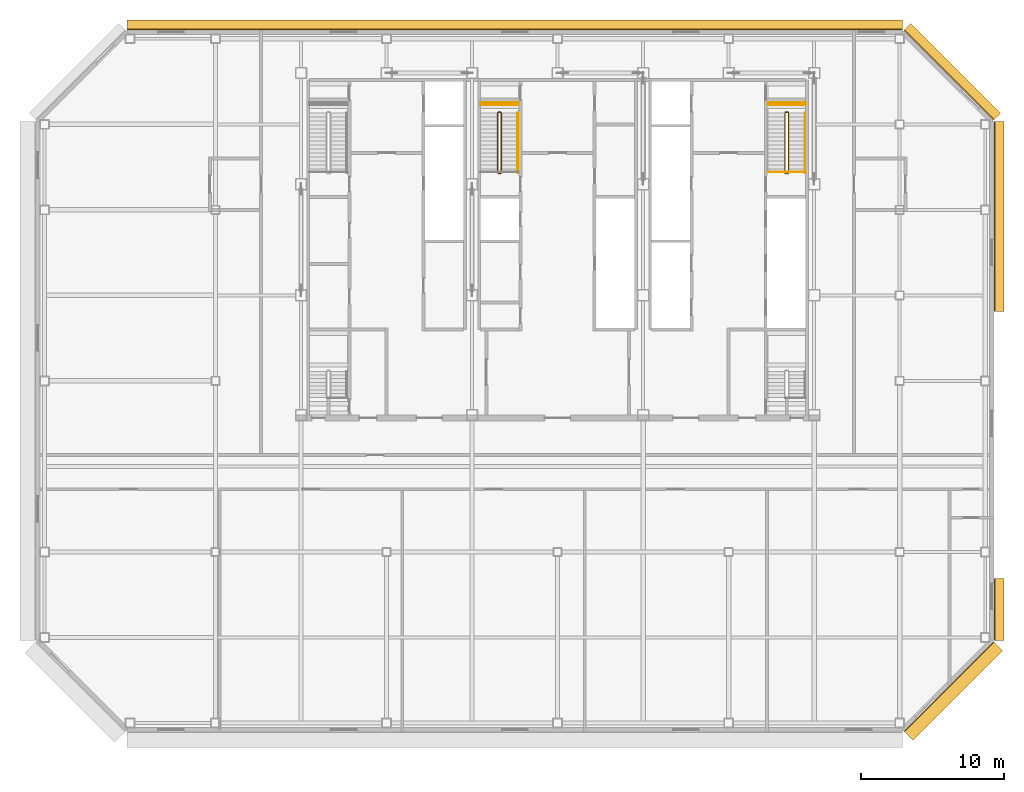
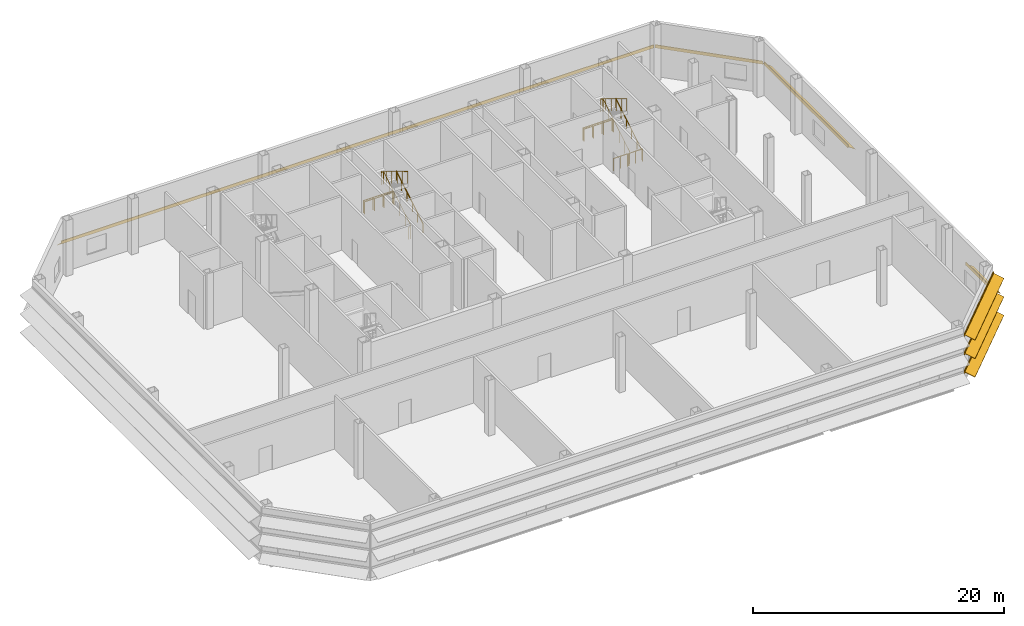
# One storey, part 11 of 11: 10 railings, 5 shading devices.
"""IFC4 building model written with IfcOpenShell, lengths in metres."""

import ifcopenshell
import ifcopenshell.guid

model = None  # the IFC model being written
_history = None  # IfcOwnerHistory: only IFC2X3 demands one
_inside = {}  # id of a spatial element -> (the spatial element, [elements in it])
_under = {}  # id of a project, library or spatial element -> (it, [spatial elements below it])
_declared = {}  # id of a project -> (the project, [libraries it declares])
_typed = {}  # id of a type object -> (the type object, [elements of that type])
_made_of = {}  # id of a material, layer set ... -> (it, [elements and type objects made of it])


def new_model(schema):
    """Start an empty IFC model of exactly this schema.

    Asked for "IFC4X3", IfcOpenShell would pick the latest addendum, in which some entities
    have other attributes; the version numbers below select the first issue.
    IFC2X3 requires an IfcOwnerHistory on every rooted entity: one is made here for all.
    """
    global model, _history
    if schema == "IFC4X3":
        model = ifcopenshell.file(schema_version=(4, 3, 0, 0))
    else:
        model = ifcopenshell.file(schema=schema)
    _inside.clear()
    _under.clear()
    _declared.clear()
    _typed.clear()
    _made_of.clear()
    _history = None
    if model.schema == "IFC2X3":
        org = make("IfcOrganization", Name="unknown")
        user = make(
            "IfcPersonAndOrganization",
            ThePerson=make("IfcPerson", FamilyName="unknown"),
            TheOrganization=org,
        )
        app = make(
            "IfcApplication",
            ApplicationDeveloper=org,
            Version="unknown",
            ApplicationFullName="unknown",
            ApplicationIdentifier="unknown",
        )
        _history = make(
            "IfcOwnerHistory",
            OwningUser=user,
            OwningApplication=app,
            ChangeAction="ADDED",
            CreationDate=0,
        )
    return model


def make(cls, **values):
    """One entity of the class cls with the attributes given. An attribute that is None is left unset."""
    return model.create_entity(
        cls, **{name: value for name, value in values.items() if value is not None}
    )


def rooted(cls, **values):
    """An entity with a GlobalId (a new one), such as an element, a storey or a relation."""
    return make(cls, GlobalId=ifcopenshell.guid.new(), OwnerHistory=_history, **values)


def si_unit(unit_type, name, prefix=None):
    """IfcSIUnit, for example si_unit("LENGTHUNIT", "METRE", prefix="MILLI")."""
    return make("IfcSIUnit", UnitType=unit_type, Prefix=prefix, Name=name)


def assignment(units):
    """IfcUnitAssignment: the units of a project."""
    return None if units is None else make("IfcUnitAssignment", Units=units)


def point(xyz):
    """IfcCartesianPoint."""
    return None if xyz is None else make("IfcCartesianPoint", Coordinates=xyz)


def direction(xyz):
    """IfcDirection."""
    return None if xyz is None else make("IfcDirection", DirectionRatios=xyz)


def frame(location, z_axis=None, x_axis=None):
    """IfcAxis2Placement3D, a coordinate frame: its origin and axes. An axis left out is left unset."""
    return make(
        "IfcAxis2Placement3D",
        Location=point(location),
        Axis=direction(z_axis),
        RefDirection=direction(x_axis),
    )


def frame_2d(location, x_axis=None):
    """IfcAxis2Placement2D, a coordinate frame in the plane: its origin and x axis."""
    return make(
        "IfcAxis2Placement2D", Location=point(location), RefDirection=direction(x_axis)
    )


def origin():
    """The frame at (0, 0, 0) with its axes left unset."""
    return frame((0.0, 0.0, 0.0))


def origin_2d():
    """The frame at (0, 0) in the plane with its x axis left unset."""
    return frame_2d((0.0, 0.0))


def place(relative_to, where):
    """IfcLocalPlacement: puts the frame where relative to a parent placement (None: the world)."""
    return make(
        "IfcLocalPlacement", PlacementRelTo=relative_to, RelativePlacement=where
    )


def context(
    kind, dimensions, precision=None, world=None, true_north=None, identifier=None
):
    """IfcGeometricRepresentationContext, for example the 3D "Model" context."""
    return make(
        "IfcGeometricRepresentationContext",
        ContextIdentifier=identifier,
        ContextType=kind,
        CoordinateSpaceDimension=dimensions,
        Precision=precision,
        WorldCoordinateSystem=world,
        TrueNorth=true_north,
    )


def subcontext(parent, identifier, kind, view, scale=None):
    """IfcGeometricRepresentationSubContext, for example "Body" below "Model"."""
    return make(
        "IfcGeometricRepresentationSubContext",
        ContextIdentifier=identifier,
        ContextType=kind,
        ParentContext=parent,
        TargetScale=scale,
        TargetView=view,
    )


def project(units=None, contexts=None):
    """IfcProject with its units and contexts."""
    return rooted(
        "IfcProject",
        Name="project",
        RepresentationContexts=contexts,
        UnitsInContext=assignment(units),
    )


def spatial(cls, under=None, at=None, **own):
    """A site, building, storey or space (cls), placed at a placement, below another one or the project."""
    s = rooted(cls, ObjectPlacement=at, **own)
    if under is not None:
        _under.setdefault(under.id(), (under, []))[1].append(s)
    return s


def polyline(points):
    """IfcPolyline through the points."""
    return make("IfcPolyline", Points=[point(p) for p in points])


def profile(cls, at=None, kind="AREA", **sizes):
    """A parametric profile (cls). Its sizes go by their IFC names, for example OverallWidth=200.0."""
    return make(cls, ProfileType=kind, Position=at, **sizes)


def circle(**sizes):
    """IfcCircleProfileDef."""
    return profile("IfcCircleProfileDef", **sizes)


def outline(outer, holes=None, kind="AREA"):
    """IfcArbitraryClosedProfileDef: a profile drawn as a closed curve; with holes, ...WithVoids."""
    if holes is None:
        return make("IfcArbitraryClosedProfileDef", ProfileType=kind, OuterCurve=outer)
    return make(
        "IfcArbitraryProfileDefWithVoids",
        ProfileType=kind,
        OuterCurve=outer,
        InnerCurves=holes,
    )


def composite_profile(profiles, kind="AREA"):
    """IfcCompositeProfileDef: several profiles as one."""
    return make("IfcCompositeProfileDef", ProfileType=kind, Profiles=profiles)


def extrude(swept, where, along, depth):
    """IfcExtrudedAreaSolid: the profile swept, set in the frame where, extruded along a direction by depth."""
    return make(
        "IfcExtrudedAreaSolid",
        SweptArea=swept,
        Position=where,
        ExtrudedDirection=direction(along),
        Depth=depth,
    )


def shape(context_of_items, identifier, shape_type, items):
    """IfcShapeRepresentation: the items that make up one representation, for example the "Body"."""
    return make(
        "IfcShapeRepresentation",
        ContextOfItems=context_of_items,
        RepresentationIdentifier=identifier,
        RepresentationType=shape_type,
        Items=items,
    )


def material(Name=None, Category=None):
    """IfcMaterial."""
    return make("IfcMaterial", Name=Name, Category=Category)


def made_of(thing, what):
    """Note that an element or type object is made of a material, layer set ...; save() writes the relation."""
    if what is not None:
        _made_of.setdefault(what.id(), (what, []))[1].append(thing)
    return thing


def type_object(cls, material=None, **own):
    """A type object (cls), such as IfcWallType, which elements share."""
    return made_of(rooted(cls, **own), material)


def element(
    cls,
    number,
    at=None,
    inside=None,
    cuts=None,
    type_object=None,
    material=None,
    context=None,
    identifier="Body",
    shape_type=None,
    held_by="IfcProductDefinitionShape",
    body=None,
    shapes=None,
    **own,
):
    """One element of the class cls, such as IfcWall. Its Tag is "e" and its number.

    at: its placement. inside: the storey or other place that contains it. cuts: it is an
    opening in that element (IfcRelVoidsElement). A single representation is given by context,
    identifier, shape_type and body (its items); several are given by shapes. held_by: the class
    of the entity that holds the representations. save() writes the other relations.
    """
    e = rooted(cls, Tag="e%d" % number, ObjectPlacement=at, **own)
    if body is not None:
        shapes = [shape(context, identifier, shape_type, body)]
    if shapes is not None:
        e.Representation = make(held_by, Representations=shapes)
    if inside is not None:
        _inside.setdefault(inside.id(), (inside, []))[1].append(e)
    if cuts is not None:
        rooted(
            "IfcRelVoidsElement", RelatingBuildingElement=cuts, RelatedOpeningElement=e
        )
    if type_object is not None:
        _typed.setdefault(type_object.id(), (type_object, []))[1].append(e)
    return made_of(e, material)


def aggregate(whole, parts):
    """IfcRelAggregates: a whole, such as a stair, and the parts it consists of."""
    return rooted("IfcRelAggregates", RelatingObject=whole, RelatedObjects=parts)


def save(model, path):
    """Write the relations noted so far, then the file.

    IfcRelAggregates (storeys below a building ...), IfcRelContainedInSpatialStructure (elements
    in a storey), IfcRelDefinesByType, IfcRelAssociatesMaterial and IfcRelDeclares: one each for
    every whole, place, type object, material and project.
    """
    for whole, parts in _under.values():
        aggregate(whole, parts)
    for where, things in _inside.values():
        rooted(
            "IfcRelContainedInSpatialStructure",
            RelatedElements=things,
            RelatingStructure=where,
        )
    for kind, things in _typed.values():
        rooted("IfcRelDefinesByType", RelatedObjects=things, RelatingType=kind)
    for what, things in _made_of.values():
        rooted("IfcRelAssociatesMaterial", RelatedObjects=things, RelatingMaterial=what)
    for by, libraries in _declared.values():
        rooted("IfcRelDeclares", RelatingContext=by, RelatedDefinitions=libraries)
    model.write(path)


model = new_model("IFC4")

# Units and contexts
model_context = context("Model", 3, precision=1e-05, world=origin(), true_north=direction((0.0, 1.0)))
body_context = subcontext(model_context, "Body", "Model", "MODEL_VIEW")
ifc_project = project(units=[si_unit("LENGTHUNIT", "METRE"), si_unit("AREAUNIT", "SQUARE_METRE"), si_unit("VOLUMEUNIT", "CUBIC_METRE"), si_unit("PLANEANGLEUNIT", "RADIAN"), si_unit("MASSUNIT", "GRAM", prefix="KILO")], contexts=[model_context])

# Site, building, storey
site_placement = place(None, origin())
site = spatial("IfcSite", under=ifc_project, at=site_placement, CompositionType="ELEMENT")
building_placement = place(site_placement, origin())
building = spatial("IfcBuilding", under=site, at=building_placement, Name="Sorahane Residences", CompositionType="ELEMENT")
storey_placement = place(building_placement, frame((0.0, 0.0, 234.199951171875)))
storey = spatial("IfcBuildingStorey", under=building, at=storey_placement, Name="L55", CompositionType="ELEMENT", Elevation=234.199951171875)

# Shading devices
ifc_material_1 = material(Name="Terracotta anodised aluminium", Category="masonry")
shading_device_type_1 = type_object("IfcShadingDeviceType", Name="Louvre sunshade blade E terracotta aluminium 700", PredefinedType="JALOUSIE", material=ifc_material_1)
shading_device_1_placement = place(storey_placement, frame((54.60009765625, 5.801513671875, 2.699951171875), z_axis=(0.0, 1.0, 0.0), x_axis=(-1.0, 0.0, 0.0)))
element("IfcShadingDevice", 1, at=shading_device_1_placement, inside=storey, type_object=shading_device_type_1, Name="Louvre sunshade blade bank E L55 E1", PredefinedType="JALOUSIE", context=body_context, shape_type="SweptSolid", body=[
    extrude(outline(polyline([(-0.719970703125, -0.49365234375), (-0.719970703125, -0.523681640625), (-0.080078125, -0.05859375), (-0.080078125, -0.14990234375), (-0.02001953125, -0.14990234375), (-0.02001953125, -0.014892578125), (-0.02001953125, 0.014892578125), (-0.02001953125, 0.14990234375), (-0.080078125, 0.14990234375), (-0.080078125, -0.028564453125), (-0.719970703125, -0.49365234375)])), origin(), (0.0, 0.0, 1.0), 4.3291015625),
])
shading_device_2_placement = place(storey_placement, frame((54.60009765625, 28.869384765625, 2.699951171875), z_axis=(0.0, 1.0, 0.0), x_axis=(-1.0, 0.0, 0.0)))
element("IfcShadingDevice", 2, at=shading_device_2_placement, inside=storey, type_object=shading_device_type_1, Name="Louvre sunshade blade bank E L55 E1 part 2", PredefinedType="JALOUSIE", context=body_context, shape_type="SweptSolid", body=[
    extrude(outline(polyline([(-0.719970703125, -0.49365234375), (-0.719970703125, -0.523681640625), (-0.080078125, -0.05859375), (-0.080078125, -0.14990234375), (-0.02001953125, -0.14990234375), (-0.02001953125, -0.014892578125), (-0.02001953125, 0.014892578125), (-0.02001953125, 0.14990234375), (-0.080078125, 0.14990234375), (-0.080078125, -0.028564453125), (-0.719970703125, -0.49365234375)])), origin(), (0.0, 0.0, 1.0), 13.3291015625),
])
ifc_material_2 = material(Name="Terracotta anodised aluminium", Category="masonry")
shading_device_type_2 = type_object("IfcShadingDeviceType", Name="Louvre sunshade blade N terracotta aluminium 700", PredefinedType="JALOUSIE", material=ifc_material_2)
shading_device_3_placement = place(storey_placement, frame((48.198486328125, 48.60009765625, 2.699951171875), z_axis=(-1.0, 0.0, 0.0), x_axis=(0.0, -1.0, 0.0)))
element("IfcShadingDevice", 3, at=shading_device_3_placement, inside=storey, type_object=shading_device_type_2, Name="Louvre sunshade blade bank N L55 N1", PredefinedType="JALOUSIE", context=body_context, shape_type="SweptSolid", body=[
    extrude(outline(polyline([(-0.719970703125, -0.660888671875), (-0.719970703125, -0.69091796875), (-0.080078125, -0.072998046875), (-0.080078125, -0.14990234375), (-0.02001953125, -0.14990234375), (-0.02001953125, -0.014892578125), (-0.02001953125, 0.014892578125), (-0.02001953125, 0.14990234375), (-0.080078125, 0.14990234375), (-0.080078125, -0.04296875), (-0.719970703125, -0.660888671875)])), origin(), (0.0, 0.0, 1.0), 54.39697265625),
])
ifc_material_3 = material(Name="Terracotta anodised aluminium", Category="masonry")
shading_device_type_3 = type_object("IfcShadingDeviceType", Name="Louvre sunshade blade NE terracotta aluminium 700", PredefinedType="JALOUSIE", material=ifc_material_3)
shading_device_4_placement = place(storey_placement, frame((54.564697265625, 42.283935546875, 2.699951171875), z_axis=(-0.707106781187, 0.707106781187, 0.0), x_axis=(-0.707106781187, -0.707106781187, 0.0)))
element("IfcShadingDevice", 4, at=shading_device_4_placement, inside=storey, type_object=shading_device_type_3, Name="Louvre sunshade blade bank NE L55 NE1", PredefinedType="JALOUSIE", context=body_context, shape_type="SweptSolid", body=[
    extrude(outline(polyline([(-0.719970703125, -0.572509765625), (-0.719970703125, -0.602294921875), (-0.080078125, -0.065185546875), (-0.080078125, -0.14990234375), (-0.02001953125, -0.14990234375), (-0.02001953125, -0.014892578125), (-0.02001953125, 0.014892578125), (-0.02001953125, 0.14990234375), (-0.080078125, 0.14990234375), (-0.080078125, -0.035400390625), (-0.719970703125, -0.572509765625)])), origin(), (0.0, 0.0, 1.0), 8.88232421875),
])
ifc_material_4 = material(Name="Terracotta anodised aluminium", Category="masonry")
shading_device_type_4 = type_object("IfcShadingDeviceType", Name="Louvre sunshade blade SE terracotta aluminium 900", PredefinedType="JALOUSIE", material=ifc_material_4)
shading_device_5_placement = place(storey_placement, frame((48.283935546875, -0.564697265625, 0.900146484375), z_axis=(0.707106781187, 0.707106781187, 0.0), x_axis=(-0.707106781187, 0.707106781187, 0.0)))
element("IfcShadingDevice", 5, at=shading_device_5_placement, inside=storey, type_object=shading_device_type_4, Name="Louvre sunshade blade bank SE L55 SE1", PredefinedType="JALOUSIE", context=body_context, shape_type="SweptSolid", body=[
    extrude(composite_profile([outline(polyline([(-0.919921875, -0.3486328125), (-0.919921875, -0.378662109375), (-0.080078125, -0.039306640625), (-0.080078125, -0.14990234375), (-0.02001953125, -0.14990234375), (-0.02001953125, -0.014892578125), (-0.02001953125, 0.014892578125), (-0.02001953125, 0.14990234375), (-0.080078125, 0.14990234375), (-0.080078125, -0.00927734375), (-0.919921875, -0.3486328125)])), outline(polyline([(-0.919921875, 1.451416015625), (-0.919921875, 1.42138671875), (-0.080078125, 1.7607421875), (-0.080078125, 1.64990234375), (-0.02001953125, 1.64990234375), (-0.02001953125, 1.784912109375), (-0.02001953125, 1.81494140625), (-0.02001953125, 1.949951171875), (-0.080078125, 1.949951171875), (-0.080078125, 1.790771484375), (-0.919921875, 1.451416015625)])), outline(polyline([(-0.919921875, 3.25146484375), (-0.919921875, 3.221435546875), (-0.080078125, 3.560791015625), (-0.080078125, 3.449951171875), (-0.02001953125, 3.449951171875), (-0.02001953125, 3.5849609375), (-0.02001953125, 3.614990234375), (-0.02001953125, 3.75), (-0.080078125, 3.75), (-0.080078125, 3.5908203125), (-0.919921875, 3.25146484375)]))]), origin(), (0.0, 0.0, 1.0), 8.88232421875),
])

# Railings
ifc_material_5 = material(Name="Steel Q355B", Category="steel")
railing_type_1 = type_object("IfcRailingType", Name="Stair guard 1200 Steel Q355B", PredefinedType="GUARDRAIL", material=ifc_material_5)
railing_1_placement = place(storey_placement, frame((38.75, 43.52490234375, 0.0)))
element("IfcRailing", 6, at=railing_1_placement, inside=storey, type_object=railing_type_1, Name="L55 S2 top well guard 1", PredefinedType="GUARDRAIL", context=body_context, shape_type="SweptSolid", body=[
    extrude(circle(Radius=0.02392578125, at=origin_2d()), frame((0.0, 0.0, 1.17578125), z_axis=(1.0, 0.0, 0.0), x_axis=(0.0, 1.0, 0.0)), (0.0, 0.0, 1.0), 2.64990234375),
    extrude(circle(Radius=0.02099609375, at=origin_2d()), origin(), (0.0, 0.0, 1.0), 1.15185546875),
    extrude(circle(Radius=0.02099609375, at=origin_2d()), frame((0.88330078125, 0.0, 0.0)), (0.0, 0.0, 1.0), 1.15185546875),
    extrude(circle(Radius=0.02099609375, at=origin_2d()), frame((1.7666015625, 0.0, 0.0)), (0.0, 0.0, 1.0), 1.15185546875),
    extrude(circle(Radius=0.02099609375, at=origin_2d()), frame((2.64990234375, 0.0, 0.0)), (0.0, 0.0, 1.0), 1.15185546875),
])
for number, where, name in (
    (7, (38.75, 38.64990234375, 0.0), "L55 Stair S2 edge guard"),
    (8, (40.133056640625, 38.64990234375, 0.0), "L55 Stair S2 edge guard"),
):
    element("IfcRailing", number, at=place(storey_placement, frame(where)), inside=storey, type_object=railing_type_1, Name=name, PredefinedType="GUARDRAIL", context=body_context, shape_type="SweptSolid", body=[
        extrude(circle(Radius=0.02392578125, at=origin_2d()), frame((0.0, 0.0, 1.17578125), z_axis=(1.0, 0.0, 0.0), x_axis=(0.0, 1.0, 0.0)), (0.0, 0.0, 1.0), 1.266845703125),
        extrude(circle(Radius=0.02099609375, at=origin_2d()), origin(), (0.0, 0.0, 1.0), 1.15185546875),
        extrude(circle(Radius=0.02099609375, at=origin_2d()), frame((0.63330078125, 0.0, 0.0)), (0.0, 0.0, 1.0), 1.15185546875),
        extrude(circle(Radius=0.02099609375, at=origin_2d()), frame((1.266845703125, 0.0, 0.0)), (0.0, 0.0, 1.0), 1.15185546875),
    ])
railing_2_placement = place(storey_placement, frame((38.75, 43.35009765625, 0.0)))
element("IfcRailing", 9, at=railing_2_placement, inside=storey, type_object=railing_type_1, Name="L55 Stair S2 edge guard", PredefinedType="GUARDRAIL", context=body_context, shape_type="SweptSolid", body=[
    extrude(circle(Radius=0.02392578125, at=origin_2d()), frame((0.0, 0.0, 1.17578125), z_axis=(1.0, 0.0, 0.0), x_axis=(0.0, 1.0, 0.0)), (0.0, 0.0, 1.0), 2.64990234375),
    extrude(circle(Radius=0.02099609375, at=origin_2d()), origin(), (0.0, 0.0, 1.0), 1.15185546875),
    extrude(circle(Radius=0.02099609375, at=origin_2d()), frame((0.88330078125, 0.0, 0.0)), (0.0, 0.0, 1.0), 1.15185546875),
    extrude(circle(Radius=0.02099609375, at=origin_2d()), frame((1.7666015625, 0.0, 0.0)), (0.0, 0.0, 1.0), 1.15185546875),
    extrude(circle(Radius=0.02099609375, at=origin_2d()), frame((2.64990234375, 0.0, 0.0)), (0.0, 0.0, 1.0), 1.15185546875),
])
railing_3_placement = place(storey_placement, frame((40.0, 38.550048828125, 0.0)))
element("IfcRailing", 10, at=railing_3_placement, inside=storey, type_object=railing_type_1, Name="L55 S2 stair guard 1", PredefinedType="GUARDRAIL", context=body_context, shape_type="SweptSolid", body=[
    extrude(circle(Radius=0.02392578125, at=origin_2d()), frame((0.0, 0.0, 1.17578125), z_axis=(1.0, 0.0, 0.0), x_axis=(0.0, 1.0, 0.0)), (0.0, 0.0, 1.0), 0.14990234375),
    extrude(circle(Radius=0.02392578125, at=origin_2d()), frame((0.14990234375, 0.0, 1.17578125), z_axis=(0.273569069059, 0.273569069059, 0.922127935218), x_axis=(-0.707106781187, 0.707106781187, 0.0)), (0.0, 0.0, 1.0), 0.182861328125),
    extrude(circle(Radius=0.02392578125, at=origin_2d()), frame((0.199951171875, 0.050048828125, 1.3447265625), z_axis=(0.0, 0.856476492594, 0.516186030065), x_axis=(-1.0, 0.0, 0.0)), (0.0, 0.0, 1.0), 4.90380859375),
    extrude(circle(Radius=0.02392578125, at=origin_2d()), frame((0.199951171875, 4.25, 3.8759765625), z_axis=(-0.707106781187, 0.707106781187, 0.0), x_axis=(-0.707106781187, -0.707106781187, 0.0)), (0.0, 0.0, 1.0), 0.07080078125),
    extrude(circle(Radius=0.02392578125, at=origin_2d()), frame((0.14990234375, 4.300048828125, 3.8759765625), z_axis=(-1.0, 0.0, 0.0), x_axis=(0.0, -1.0, 0.0)), (0.0, 0.0, 1.0), 0.14990234375),
    extrude(circle(Radius=0.02392578125, at=origin_2d()), frame((0.0, 4.300048828125, 3.8759765625), z_axis=(-0.273232802156, -0.273232802156, 0.922327312645), x_axis=(0.707106781187, -0.707106781187, 0.0)), (0.0, 0.0, 1.0), 0.18310546875),
    extrude(circle(Radius=0.02392578125, at=origin_2d()), frame((-0.050048828125, 4.25, 4.044921875), z_axis=(0.0, -0.856476492594, 0.516186030065), x_axis=(1.0, 0.0, 0.0)), (0.0, 0.0, 1.0), 4.90380859375),
    extrude(circle(Radius=0.02099609375, at=origin_2d()), origin(), (0.0, 0.0, 1.0), 1.15185546875),
    extrude(circle(Radius=0.02099609375, at=origin_2d()), frame((0.14990234375, 0.0, 0.0)), (0.0, 0.0, 1.0), 1.15185546875),
    extrude(circle(Radius=0.02099609375, at=origin_2d()), frame((0.199951171875, 0.050048828125, 0.168701171875)), (0.0, 0.0, 1.0), 1.15185546875),
    extrude(circle(Radius=0.02099609375, at=origin_2d()), frame((0.199951171875, 0.89013671875, 0.675048828125)), (0.0, 0.0, 1.0), 1.15185546875),
    extrude(circle(Radius=0.02099609375, at=origin_2d()), frame((0.199951171875, 1.72998046875, 1.18115234375)), (0.0, 0.0, 1.0), 1.15185546875),
    extrude(circle(Radius=0.02099609375, at=origin_2d()), frame((0.199951171875, 2.570068359375, 1.6875)), (0.0, 0.0, 1.0), 1.15185546875),
    extrude(circle(Radius=0.02099609375, at=origin_2d()), frame((0.199951171875, 3.409912109375, 2.193603515625)), (0.0, 0.0, 1.0), 1.15185546875),
    extrude(circle(Radius=0.02099609375, at=origin_2d()), frame((0.199951171875, 4.25, 2.699951171875)), (0.0, 0.0, 1.0), 1.15185546875),
    extrude(circle(Radius=0.02099609375, at=origin_2d()), frame((0.14990234375, 4.300048828125, 2.699951171875)), (0.0, 0.0, 1.0), 1.15185546875),
    extrude(circle(Radius=0.02099609375, at=origin_2d()), frame((0.0, 4.300048828125, 2.699951171875)), (0.0, 0.0, 1.0), 1.15185546875),
    extrude(circle(Radius=0.02099609375, at=origin_2d()), frame((-0.050048828125, 4.25, 2.868896484375)), (0.0, 0.0, 1.0), 1.15185546875),
    extrude(circle(Radius=0.02099609375, at=origin_2d()), frame((-0.050048828125, 3.409912109375, 3.375244140625)), (0.0, 0.0, 1.0), 1.15185546875),
    extrude(circle(Radius=0.02099609375, at=origin_2d()), frame((-0.050048828125, 2.570068359375, 3.88134765625)), (0.0, 0.0, 1.0), 1.15185546875),
    extrude(circle(Radius=0.02099609375, at=origin_2d()), frame((-0.050048828125, 1.72998046875, 4.3876953125)), (0.0, 0.0, 1.0), 1.15185546875),
    extrude(circle(Radius=0.02099609375, at=origin_2d()), frame((-0.050048828125, 0.89013671875, 4.893798828125)), (0.0, 0.0, 1.0), 1.15185546875),
    extrude(circle(Radius=0.02099609375, at=origin_2d()), frame((-0.050048828125, 0.050048828125, 5.400146484375)), (0.0, 0.0, 1.0), 1.15185546875),
])
for number, where, name in (
    (11, (18.60009765625, 43.52490234375, 0.0), "L55 S3 top well guard 1"),
    (12, (18.60009765625, 43.35009765625, 0.0), "L55 Stair S3 edge guard"),
):
    element("IfcRailing", number, at=place(storey_placement, frame(where)), inside=storey, type_object=railing_type_1, Name=name, PredefinedType="GUARDRAIL", context=body_context, shape_type="SweptSolid", body=[
        extrude(circle(Radius=0.02392578125, at=origin_2d()), frame((0.0, 0.0, 1.17578125), z_axis=(1.0, 0.0, 0.0), x_axis=(0.0, 1.0, 0.0)), (0.0, 0.0, 1.0), 2.64990234375),
        extrude(circle(Radius=0.02099609375, at=origin_2d()), origin(), (0.0, 0.0, 1.0), 1.15185546875),
        extrude(circle(Radius=0.02099609375, at=origin_2d()), frame((0.88330078125, 0.0, 0.0)), (0.0, 0.0, 1.0), 1.15185546875),
        extrude(circle(Radius=0.02099609375, at=origin_2d()), frame((1.7666015625, 0.0, 0.0)), (0.0, 0.0, 1.0), 1.15185546875),
        extrude(circle(Radius=0.02099609375, at=origin_2d()), frame((2.64990234375, 0.0, 0.0)), (0.0, 0.0, 1.0), 1.15185546875),
    ])
railing_4_placement = place(storey_placement, frame((19.85009765625, 38.550048828125, 0.0)))
element("IfcRailing", 13, at=railing_4_placement, inside=storey, type_object=railing_type_1, Name="L55 S3 stair guard 1", PredefinedType="GUARDRAIL", context=body_context, shape_type="SweptSolid", body=[
    extrude(circle(Radius=0.02392578125, at=origin_2d()), frame((0.0, 0.0, 1.17578125), z_axis=(1.0, 0.0, 0.0), x_axis=(0.0, 1.0, 0.0)), (0.0, 0.0, 1.0), 0.14990234375),
    extrude(circle(Radius=0.02392578125, at=origin_2d()), frame((0.14990234375, 0.0, 1.17578125), z_axis=(0.273569069059, 0.273569069059, 0.922127935218), x_axis=(-0.707106781187, 0.707106781187, 0.0)), (0.0, 0.0, 1.0), 0.182861328125),
    extrude(circle(Radius=0.02392578125, at=origin_2d()), frame((0.199951171875, 0.050048828125, 1.3447265625), z_axis=(0.0, 0.856476492594, 0.516186030065), x_axis=(-1.0, 0.0, 0.0)), (0.0, 0.0, 1.0), 4.90380859375),
    extrude(circle(Radius=0.02392578125, at=origin_2d()), frame((0.199951171875, 4.25, 3.8759765625), z_axis=(-0.707106781187, 0.707106781187, 0.0), x_axis=(-0.707106781187, -0.707106781187, 0.0)), (0.0, 0.0, 1.0), 0.07080078125),
    extrude(circle(Radius=0.02392578125, at=origin_2d()), frame((0.14990234375, 4.300048828125, 3.8759765625), z_axis=(-1.0, 0.0, 0.0), x_axis=(0.0, -1.0, 0.0)), (0.0, 0.0, 1.0), 0.14990234375),
    extrude(circle(Radius=0.02392578125, at=origin_2d()), frame((0.0, 4.300048828125, 3.8759765625), z_axis=(-0.273232802156, -0.273232802156, 0.922327312645), x_axis=(0.707106781187, -0.707106781187, 0.0)), (0.0, 0.0, 1.0), 0.18310546875),
    extrude(circle(Radius=0.02392578125, at=origin_2d()), frame((-0.050048828125, 4.25, 4.044921875), z_axis=(0.0, -0.856476492594, 0.516186030065), x_axis=(1.0, 0.0, 0.0)), (0.0, 0.0, 1.0), 4.90380859375),
    extrude(circle(Radius=0.02099609375, at=origin_2d()), origin(), (0.0, 0.0, 1.0), 1.15185546875),
    extrude(circle(Radius=0.02099609375, at=origin_2d()), frame((0.14990234375, 0.0, 0.0)), (0.0, 0.0, 1.0), 1.15185546875),
    extrude(circle(Radius=0.02099609375, at=origin_2d()), frame((0.199951171875, 0.050048828125, 0.168701171875)), (0.0, 0.0, 1.0), 1.15185546875),
    extrude(circle(Radius=0.02099609375, at=origin_2d()), frame((0.199951171875, 0.89013671875, 0.675048828125)), (0.0, 0.0, 1.0), 1.15185546875),
    extrude(circle(Radius=0.02099609375, at=origin_2d()), frame((0.199951171875, 1.72998046875, 1.18115234375)), (0.0, 0.0, 1.0), 1.15185546875),
    extrude(circle(Radius=0.02099609375, at=origin_2d()), frame((0.199951171875, 2.570068359375, 1.6875)), (0.0, 0.0, 1.0), 1.15185546875),
    extrude(circle(Radius=0.02099609375, at=origin_2d()), frame((0.199951171875, 3.409912109375, 2.193603515625)), (0.0, 0.0, 1.0), 1.15185546875),
    extrude(circle(Radius=0.02099609375, at=origin_2d()), frame((0.199951171875, 4.25, 2.699951171875)), (0.0, 0.0, 1.0), 1.15185546875),
    extrude(circle(Radius=0.02099609375, at=origin_2d()), frame((0.14990234375, 4.300048828125, 2.699951171875)), (0.0, 0.0, 1.0), 1.15185546875),
    extrude(circle(Radius=0.02099609375, at=origin_2d()), frame((0.0, 4.300048828125, 2.699951171875)), (0.0, 0.0, 1.0), 1.15185546875),
    extrude(circle(Radius=0.02099609375, at=origin_2d()), frame((-0.050048828125, 4.25, 2.868896484375)), (0.0, 0.0, 1.0), 1.15185546875),
    extrude(circle(Radius=0.02099609375, at=origin_2d()), frame((-0.050048828125, 3.409912109375, 3.375244140625)), (0.0, 0.0, 1.0), 1.15185546875),
    extrude(circle(Radius=0.02099609375, at=origin_2d()), frame((-0.050048828125, 2.570068359375, 3.88134765625)), (0.0, 0.0, 1.0), 1.15185546875),
    extrude(circle(Radius=0.02099609375, at=origin_2d()), frame((-0.050048828125, 1.72998046875, 4.3876953125)), (0.0, 0.0, 1.0), 1.15185546875),
    extrude(circle(Radius=0.02099609375, at=origin_2d()), frame((-0.050048828125, 0.89013671875, 4.893798828125)), (0.0, 0.0, 1.0), 1.15185546875),
    extrude(circle(Radius=0.02099609375, at=origin_2d()), frame((-0.050048828125, 0.050048828125, 5.400146484375)), (0.0, 0.0, 1.0), 1.15185546875),
])
ifc_material_6 = material(Name="Steel Q355B", Category="steel")
railing_type_2 = type_object("IfcRailingType", Name="Stair handrail 900 Steel Q355B", PredefinedType="HANDRAIL", material=ifc_material_6)
for number, where, name in (
    (14, (41.35009765625, 38.60009765625, 0.168701171875), "L55 S2 stair handrail 1"),
    (15, (21.199951171875, 38.60009765625, 0.168701171875), "L55 S3 stair handrail 1"),
):
    element("IfcRailing", number, at=place(storey_placement, frame(where)), inside=storey, type_object=railing_type_2, Name=name, PredefinedType="HANDRAIL", context=body_context, shape_type="SweptSolid", body=[
        extrude(circle(Radius=0.02392578125, at=origin_2d()), frame((0.0, 0.0, 0.8759765625), z_axis=(0.0, 0.856476492594, 0.516186030065), x_axis=(-1.0, 0.0, 0.0)), (0.0, 0.0, 1.0), 4.90380859375),
        extrude(circle(Radius=0.02099609375, at=origin_2d()), origin(), (0.0, 0.0, 1.0), 0.851806640625),
        extrude(circle(Radius=0.02099609375, at=origin_2d()), frame((0.0, 0.840087890625, 0.50634765625)), (0.0, 0.0, 1.0), 0.851806640625),
        extrude(circle(Radius=0.02099609375, at=origin_2d()), frame((0.0, 1.679931640625, 1.012451171875)), (0.0, 0.0, 1.0), 0.851806640625),
        extrude(circle(Radius=0.02099609375, at=origin_2d()), frame((0.0, 2.52001953125, 1.518798828125)), (0.0, 0.0, 1.0), 0.851806640625),
        extrude(circle(Radius=0.02099609375, at=origin_2d()), frame((0.0, 3.35986328125, 2.02490234375)), (0.0, 0.0, 1.0), 0.851806640625),
        extrude(circle(Radius=0.02099609375, at=origin_2d()), frame((0.0, 4.199951171875, 2.53125)), (0.0, 0.0, 1.0), 0.851806640625),
    ])

save(model, "model.ifc")
